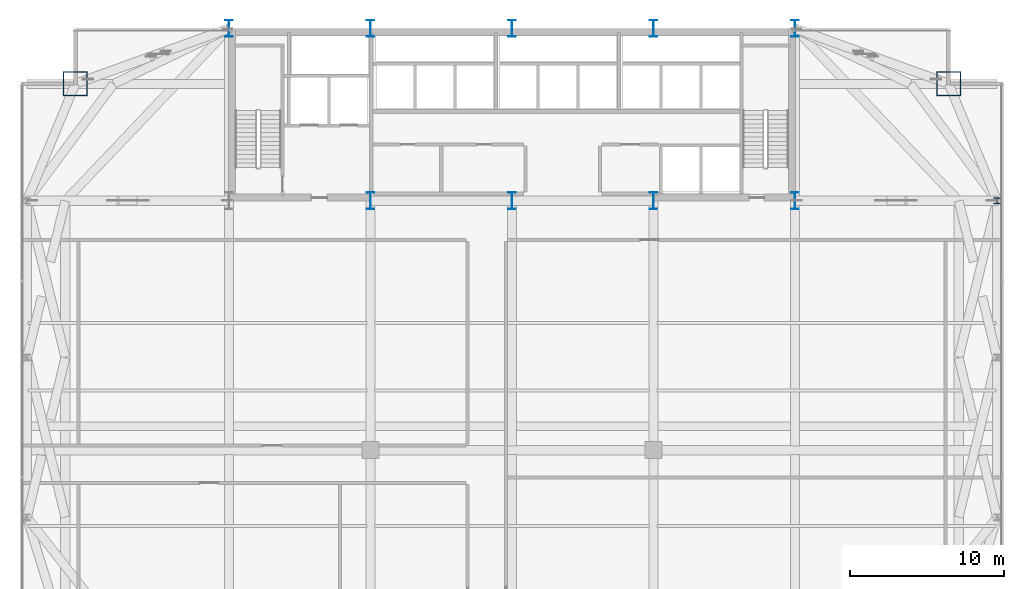
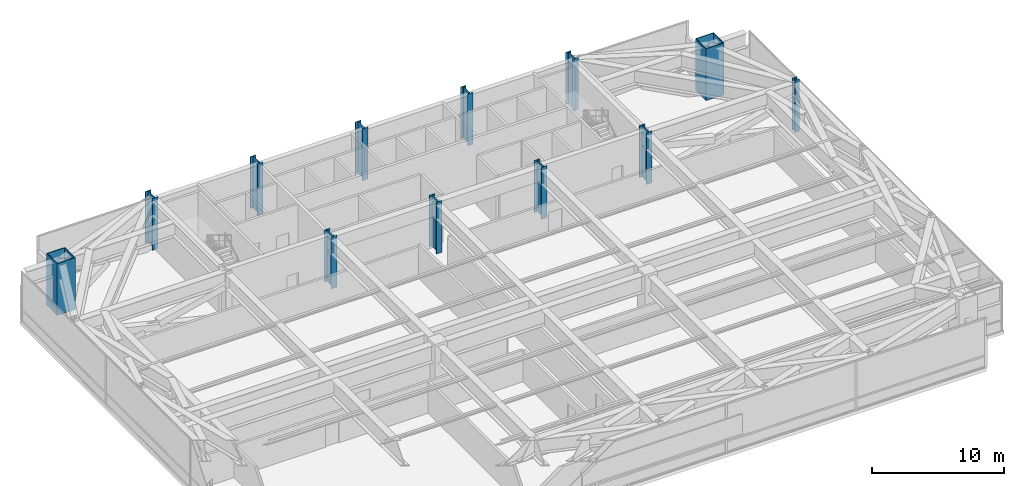
# One storey, part 2 of 30: 12 columns.
"""IFC4 building model written with IfcOpenShell, lengths in metres."""

import ifcopenshell
import ifcopenshell.guid

model = None  # the IFC model being written
_history = None  # IfcOwnerHistory: only IFC2X3 demands one
_inside = {}  # id of a spatial element -> (the spatial element, [elements in it])
_under = {}  # id of a project, library or spatial element -> (it, [spatial elements below it])
_declared = {}  # id of a project -> (the project, [libraries it declares])
_typed = {}  # id of a type object -> (the type object, [elements of that type])
_made_of = {}  # id of a material, layer set ... -> (it, [elements and type objects made of it])


def new_model(schema):
    """Start an empty IFC model of exactly this schema.

    Asked for "IFC4X3", IfcOpenShell would pick the latest addendum, in which some entities
    have other attributes; the version numbers below select the first issue.
    IFC2X3 requires an IfcOwnerHistory on every rooted entity: one is made here for all.
    """
    global model, _history
    if schema == "IFC4X3":
        model = ifcopenshell.file(schema_version=(4, 3, 0, 0))
    else:
        model = ifcopenshell.file(schema=schema)
    _inside.clear()
    _under.clear()
    _declared.clear()
    _typed.clear()
    _made_of.clear()
    _history = None
    if model.schema == "IFC2X3":
        org = make("IfcOrganization", Name="unknown")
        user = make(
            "IfcPersonAndOrganization",
            ThePerson=make("IfcPerson", FamilyName="unknown"),
            TheOrganization=org,
        )
        app = make(
            "IfcApplication",
            ApplicationDeveloper=org,
            Version="unknown",
            ApplicationFullName="unknown",
            ApplicationIdentifier="unknown",
        )
        _history = make(
            "IfcOwnerHistory",
            OwningUser=user,
            OwningApplication=app,
            ChangeAction="ADDED",
            CreationDate=0,
        )
    return model


def make(cls, **values):
    """One entity of the class cls with the attributes given. An attribute that is None is left unset."""
    return model.create_entity(
        cls, **{name: value for name, value in values.items() if value is not None}
    )


def rooted(cls, **values):
    """An entity with a GlobalId (a new one), such as an element, a storey or a relation."""
    return make(cls, GlobalId=ifcopenshell.guid.new(), OwnerHistory=_history, **values)


def si_unit(unit_type, name, prefix=None):
    """IfcSIUnit, for example si_unit("LENGTHUNIT", "METRE", prefix="MILLI")."""
    return make("IfcSIUnit", UnitType=unit_type, Prefix=prefix, Name=name)


def assignment(units):
    """IfcUnitAssignment: the units of a project."""
    return None if units is None else make("IfcUnitAssignment", Units=units)


def point(xyz):
    """IfcCartesianPoint."""
    return None if xyz is None else make("IfcCartesianPoint", Coordinates=xyz)


def direction(xyz):
    """IfcDirection."""
    return None if xyz is None else make("IfcDirection", DirectionRatios=xyz)


def frame(location, z_axis=None, x_axis=None):
    """IfcAxis2Placement3D, a coordinate frame: its origin and axes. An axis left out is left unset."""
    return make(
        "IfcAxis2Placement3D",
        Location=point(location),
        Axis=direction(z_axis),
        RefDirection=direction(x_axis),
    )


def frame_2d(location, x_axis=None):
    """IfcAxis2Placement2D, a coordinate frame in the plane: its origin and x axis."""
    return make(
        "IfcAxis2Placement2D", Location=point(location), RefDirection=direction(x_axis)
    )


def origin():
    """The frame at (0, 0, 0) with its axes left unset."""
    return frame((0.0, 0.0, 0.0))


def origin_2d():
    """The frame at (0, 0) in the plane with its x axis left unset."""
    return frame_2d((0.0, 0.0))


def place(relative_to, where):
    """IfcLocalPlacement: puts the frame where relative to a parent placement (None: the world)."""
    return make(
        "IfcLocalPlacement", PlacementRelTo=relative_to, RelativePlacement=where
    )


def context(
    kind, dimensions, precision=None, world=None, true_north=None, identifier=None
):
    """IfcGeometricRepresentationContext, for example the 3D "Model" context."""
    return make(
        "IfcGeometricRepresentationContext",
        ContextIdentifier=identifier,
        ContextType=kind,
        CoordinateSpaceDimension=dimensions,
        Precision=precision,
        WorldCoordinateSystem=world,
        TrueNorth=true_north,
    )


def subcontext(parent, identifier, kind, view, scale=None):
    """IfcGeometricRepresentationSubContext, for example "Body" below "Model"."""
    return make(
        "IfcGeometricRepresentationSubContext",
        ContextIdentifier=identifier,
        ContextType=kind,
        ParentContext=parent,
        TargetScale=scale,
        TargetView=view,
    )


def project(units=None, contexts=None):
    """IfcProject with its units and contexts."""
    return rooted(
        "IfcProject",
        Name="project",
        RepresentationContexts=contexts,
        UnitsInContext=assignment(units),
    )


def spatial(cls, under=None, at=None, **own):
    """A site, building, storey or space (cls), placed at a placement, below another one or the project."""
    s = rooted(cls, ObjectPlacement=at, **own)
    if under is not None:
        _under.setdefault(under.id(), (under, []))[1].append(s)
    return s


def profile(cls, at=None, kind="AREA", **sizes):
    """A parametric profile (cls). Its sizes go by their IFC names, for example OverallWidth=200.0."""
    return make(cls, ProfileType=kind, Position=at, **sizes)


def hollow_rectangle(**sizes):
    """IfcRectangleHollowProfileDef."""
    return profile("IfcRectangleHollowProfileDef", **sizes)


def i_section(**sizes):
    """IfcIShapeProfileDef."""
    return profile("IfcIShapeProfileDef", **sizes)


def extrude(swept, where, along, depth):
    """IfcExtrudedAreaSolid: the profile swept, set in the frame where, extruded along a direction by depth."""
    return make(
        "IfcExtrudedAreaSolid",
        SweptArea=swept,
        Position=where,
        ExtrudedDirection=direction(along),
        Depth=depth,
    )


def shape(context_of_items, identifier, shape_type, items):
    """IfcShapeRepresentation: the items that make up one representation, for example the "Body"."""
    return make(
        "IfcShapeRepresentation",
        ContextOfItems=context_of_items,
        RepresentationIdentifier=identifier,
        RepresentationType=shape_type,
        Items=items,
    )


def source(mapping_origin, context_of_items, identifier, shape_type, items):
    """IfcRepresentationMap: a shape defined once, which mapped items show again and again."""
    return make(
        "IfcRepresentationMap",
        MappingOrigin=mapping_origin,
        MappedRepresentation=shape(context_of_items, identifier, shape_type, items),
    )


def transform(
    local_origin,
    x_axis=None,
    y_axis=None,
    z_axis=None,
    scale=None,
    scale2=None,
    scale3=None,
    uniform=True,
):
    """IfcCartesianTransformationOperator3D, or its non-uniform kind. x_axis, y_axis, z_axis: its Axis1, 2, 3."""
    if uniform:
        return make(
            "IfcCartesianTransformationOperator3D",
            Axis1=direction(x_axis),
            Axis2=direction(y_axis),
            LocalOrigin=point(local_origin),
            Scale=scale,
            Axis3=direction(z_axis),
        )
    return make(
        "IfcCartesianTransformationOperator3DnonUniform",
        Axis1=direction(x_axis),
        Axis2=direction(y_axis),
        LocalOrigin=point(local_origin),
        Scale=scale,
        Axis3=direction(z_axis),
        Scale2=scale2,
        Scale3=scale3,
    )


def mapped(mapping_source, mapping_target):
    """IfcMappedItem: shows the shape of a source again, moved by a transform."""
    return make(
        "IfcMappedItem", MappingSource=mapping_source, MappingTarget=mapping_target
    )


def material(Name=None, Category=None):
    """IfcMaterial."""
    return make("IfcMaterial", Name=Name, Category=Category)


def material_profile(
    of_material, cross_section, Name=None, Category=None, Priority=None
):
    """IfcMaterialProfile: a cross section and its material."""
    return make(
        "IfcMaterialProfile",
        Name=Name,
        Material=of_material,
        Profile=cross_section,
        Priority=Priority,
        Category=Category,
    )


def profile_set(profiles, Name=None, composite=None):
    """IfcMaterialProfileSet."""
    return make(
        "IfcMaterialProfileSet",
        Name=Name,
        MaterialProfiles=profiles,
        CompositeProfile=composite,
    )


def made_of(thing, what):
    """Note that an element or type object is made of a material, layer set ...; save() writes the relation."""
    if what is not None:
        _made_of.setdefault(what.id(), (what, []))[1].append(thing)
    return thing


def type_object(cls, material=None, **own):
    """A type object (cls), such as IfcWallType, which elements share."""
    return made_of(rooted(cls, **own), material)


def type_shapes(of_type, sources):
    """Give a type object the sources (RepresentationMaps) that its elements show as mapped items."""
    of_type.RepresentationMaps = sources


def element(
    cls,
    number,
    at=None,
    inside=None,
    cuts=None,
    type_object=None,
    material=None,
    context=None,
    identifier="Body",
    shape_type=None,
    held_by="IfcProductDefinitionShape",
    body=None,
    shapes=None,
    **own,
):
    """One element of the class cls, such as IfcWall. Its Tag is "e" and its number.

    at: its placement. inside: the storey or other place that contains it. cuts: it is an
    opening in that element (IfcRelVoidsElement). A single representation is given by context,
    identifier, shape_type and body (its items); several are given by shapes. held_by: the class
    of the entity that holds the representations. save() writes the other relations.
    """
    e = rooted(cls, Tag="e%d" % number, ObjectPlacement=at, **own)
    if body is not None:
        shapes = [shape(context, identifier, shape_type, body)]
    if shapes is not None:
        e.Representation = make(held_by, Representations=shapes)
    if inside is not None:
        _inside.setdefault(inside.id(), (inside, []))[1].append(e)
    if cuts is not None:
        rooted(
            "IfcRelVoidsElement", RelatingBuildingElement=cuts, RelatedOpeningElement=e
        )
    if type_object is not None:
        _typed.setdefault(type_object.id(), (type_object, []))[1].append(e)
    return made_of(e, material)


def aggregate(whole, parts):
    """IfcRelAggregates: a whole, such as a stair, and the parts it consists of."""
    return rooted("IfcRelAggregates", RelatingObject=whole, RelatedObjects=parts)


def save(model, path):
    """Write the relations noted so far, then the file.

    IfcRelAggregates (storeys below a building ...), IfcRelContainedInSpatialStructure (elements
    in a storey), IfcRelDefinesByType, IfcRelAssociatesMaterial and IfcRelDeclares: one each for
    every whole, place, type object, material and project.
    """
    for whole, parts in _under.values():
        aggregate(whole, parts)
    for where, things in _inside.values():
        rooted(
            "IfcRelContainedInSpatialStructure",
            RelatedElements=things,
            RelatingStructure=where,
        )
    for kind, things in _typed.values():
        rooted("IfcRelDefinesByType", RelatedObjects=things, RelatingType=kind)
    for what, things in _made_of.values():
        rooted("IfcRelAssociatesMaterial", RelatedObjects=things, RelatingMaterial=what)
    for by, libraries in _declared.values():
        rooted("IfcRelDeclares", RelatingContext=by, RelatedDefinitions=libraries)
    model.write(path)


model = new_model("IFC4")

# Units and contexts
model_context = context("Model", 3, precision=1e-05, world=origin(), true_north=direction((0.0, 1.0)))
body_context = subcontext(model_context, "Body", "Model", "MODEL_VIEW")
ifc_project = project(units=[si_unit("LENGTHUNIT", "METRE"), si_unit("AREAUNIT", "SQUARE_METRE"), si_unit("VOLUMEUNIT", "CUBIC_METRE"), si_unit("PLANEANGLEUNIT", "RADIAN"), si_unit("MASSUNIT", "GRAM", prefix="KILO")], contexts=[model_context])

# Site, building, storey
site_placement = place(None, origin())
site = spatial("IfcSite", under=ifc_project, at=site_placement, CompositionType="ELEMENT")
building_placement = place(site_placement, origin())
building = spatial("IfcBuilding", under=site, at=building_placement, Name="Varnel Quay Broadcast Tower", CompositionType="ELEMENT")
storey_placement = place(building_placement, frame((0.0, 0.0, 82.199951171875)))
storey = spatial("IfcBuildingStorey", under=building, at=storey_placement, Name="L19", CompositionType="ELEMENT", Elevation=82.199951171875)

# Columns
ifc_material_1 = material(Name="Structural Steel CSA G40.21 350WT", Category="steel")
ifc_material_profile_1 = material_profile(ifc_material_1, i_section(OverallWidth=0.5, OverallDepth=1.10009765625, WebThickness=0.01806640625, FlangeThickness=0.031982421875, FilletRadius=0.01806640625, at=origin_2d()), Name="WWF1100X418")
ifc_profile_set_1 = profile_set([ifc_material_profile_1], Name="Structural Steel CSA G40.21 350WT")
column_type_1 = type_object("IfcColumnType", Name="Col_WWF1100X418", PredefinedType="COLUMN", material=ifc_profile_set_1)
shared_shape_1 = source(origin(), body_context, "Body", "SweptSolid", [
    extrude(i_section(OverallWidth=0.5, OverallDepth=1.10009765625, WebThickness=0.01806640625, FlangeThickness=0.031982421875, FilletRadius=0.01806640625, at=origin_2d()), origin(), (0.0, 0.0, 1.0), 4.800048828125),
])
type_shapes(column_type_1, [shared_shape_1])
for number, where, z_axis, x_axis, name in (
    (1, (15.60009765625, 46.800048828125, 0.0), (0.0, 0.0, 1.0), (1.0, 0.0, 0.0), "L19 Column CC-N1"),
    (2, (24.800048828125, 35.60009765625, 0.0), (0.0, 0.0, 1.0), (1.0, 0.0, 0.0), "L19 Column CC-S2"),
    (3, (24.800048828125, 46.800048828125, 0.0), (0.0, 0.0, 1.0), (1.0, 0.0, 0.0), "L19 Column CC-N2"),
    (4, (34.0, 35.60009765625, 0.0), (0.0, 0.0, 1.0), (1.0, 0.0, 0.0), "L19 Column CC-S3"),
    (5, (34.0, 46.800048828125, 0.0), (0.0, 0.0, 1.0), (1.0, 0.0, 0.0), "L19 Column CC-N3"),
    (6, (43.199951171875, 35.60009765625, 0.0), (0.0, 0.0, 1.0), (1.0, 0.0, 0.0), "L19 Column CC-S4"),
    (7, (43.199951171875, 46.800048828125, 0.0), (0.0, 0.0, 1.0), (1.0, 0.0, 0.0), "L19 Column CC-N4"),
    (8, (52.39990234375, 35.60009765625, 0.0), (0.0, 0.0, 1.0), (1.0, 0.0, 0.0), "L19 Column CC-S5"),
    (9, (52.39990234375, 46.800048828125, 0.0), (0.0, 0.0, 1.0), (1.0, 0.0, 0.0), "L19 Column CC-N5"),
):
    element("IfcColumn", number, at=place(storey_placement, frame(where, z_axis=z_axis, x_axis=x_axis)), inside=storey, type_object=column_type_1, Name=name, PredefinedType="COLUMN", context=body_context, shape_type="MappedRepresentation", body=[
        mapped(shared_shape_1, transform((0.0, 0.0, 0.0), x_axis=(1.0, 0.0, 0.0), y_axis=(0.0, 1.0, 0.0), z_axis=(0.0, 0.0, 1.0), scale=1.0)),
    ])
ifc_material_profile_2 = material_profile(ifc_material_1, hollow_rectangle(XDim=1.60009765625, YDim=1.60009765625, WallThickness=0.06005859375, at=origin_2d()), Name="BOX1600X1600X60")
ifc_profile_set_2 = profile_set([ifc_material_profile_2], Name="Structural Steel CSA G40.21 350WT")
column_type_2 = type_object("IfcColumnType", Name="Col_BOX1600X1600X60", PredefinedType="COLUMN", material=ifc_profile_set_2)
shared_shape_2 = source(origin(), body_context, "Body", "SweptSolid", [
    extrude(hollow_rectangle(XDim=1.60009765625, YDim=1.60009765625, WallThickness=0.06005859375, at=origin_2d()), origin(), (0.0, 0.0, 1.0), 4.800048828125),
])
type_shapes(column_type_2, [shared_shape_2])
for number, where, z_axis, x_axis, name in (
    (10, (62.39990234375, 43.199951171875, 0.0), (0.0, 0.0, 1.0), (1.0, 0.0, 0.0), "L19 Column MC-NE"),
    (11, (5.60009765625, 43.199951171875, 0.0), (0.0, 0.0, 1.0), (1.0, 0.0, 0.0), "L19 Column MC-NW"),
):
    element("IfcColumn", number, at=place(storey_placement, frame(where, z_axis=z_axis, x_axis=x_axis)), inside=storey, type_object=column_type_2, Name=name, PredefinedType="COLUMN", context=body_context, shape_type="MappedRepresentation", body=[
        mapped(shared_shape_2, transform((0.0, 0.0, 0.0), x_axis=(1.0, 0.0, 0.0), y_axis=(0.0, 1.0, 0.0), z_axis=(0.0, 0.0, 1.0), scale=1.0)),
    ])
ifc_material_2 = material(Name="Structural Steel CSA G40.21 350W", Category="steel")
ifc_material_profile_3 = material_profile(ifc_material_2, i_section(OverallWidth=0.404052734375, OverallDepth=0.406982421875, WebThickness=0.027099609375, FlangeThickness=0.043701171875, FilletRadius=0.01806640625, at=origin_2d()), Name="W360X347")
ifc_profile_set_3 = profile_set([ifc_material_profile_3], Name="Structural Steel CSA G40.21 350W")
column_type_3 = type_object("IfcColumnType", Name="Col_W360X347", PredefinedType="COLUMN", material=ifc_profile_set_3)
shared_shape_3 = source(origin(), body_context, "Body", "SweptSolid", [
    extrude(i_section(OverallWidth=0.404052734375, OverallDepth=0.406982421875, WebThickness=0.027099609375, FlangeThickness=0.043701171875, FilletRadius=0.01806640625, at=origin_2d()), origin(), (0.0, 0.0, 1.0), 4.800048828125),
])
type_shapes(column_type_3, [shared_shape_3])
column_placement = place(storey_placement, frame((65.550048828125, 35.60009765625, 0.0), z_axis=(0.0, 0.0, 1.0), x_axis=(1.0, 0.0, 0.0)))
element("IfcColumn", 12, at=column_placement, inside=storey, type_object=column_type_3, Name="L19 Column TC-E3", PredefinedType="COLUMN", context=body_context, shape_type="MappedRepresentation", body=[
    mapped(shared_shape_3, transform((0.0, 0.0, 0.0), x_axis=(1.0, 0.0, 0.0), y_axis=(0.0, 1.0, 0.0), z_axis=(0.0, 0.0, 1.0), scale=1.0)),
])

save(model, "model.ifc")
